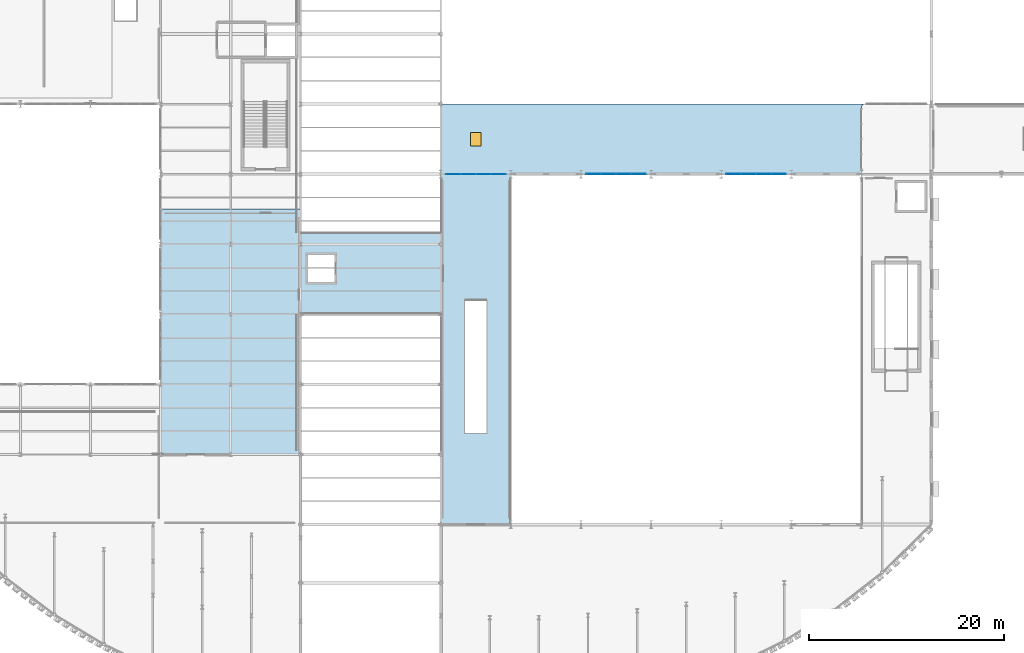
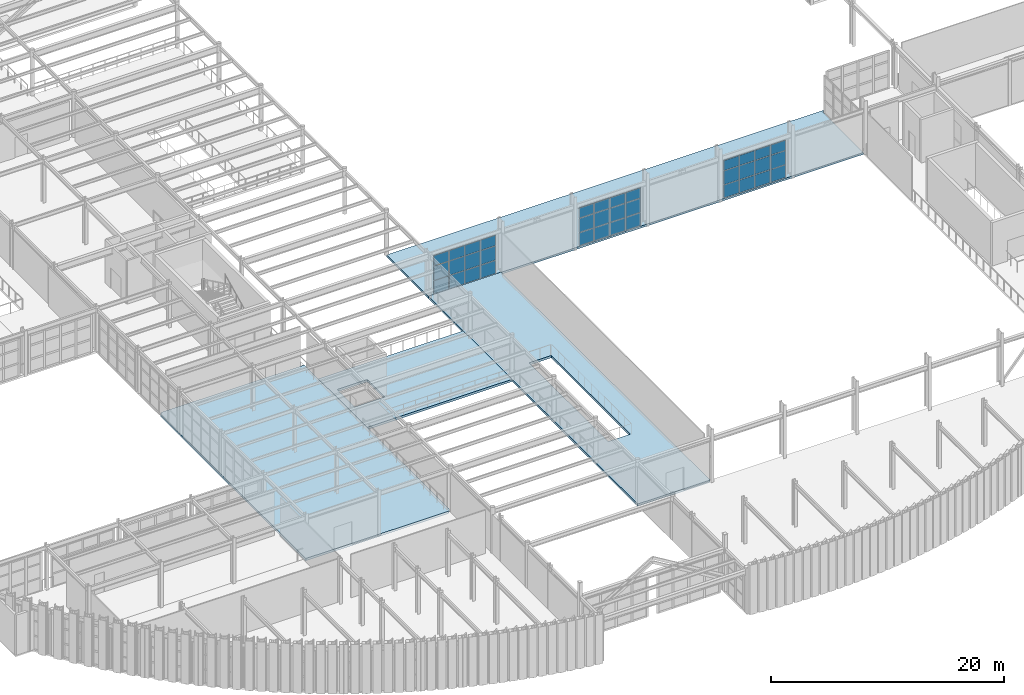
# One storey, part 93 of 126: 36 plates, 4 slabs, 1 door, 1 opening, 3 elements without a shape of their own.
"""IFC4 building model written with IfcOpenShell, lengths in metres."""

from ifc_helpers import new_model, si_unit, direction, frame, origin, origin_2d, place, context, subcontext, project, spatial, polyline, rectangle, outline, extrude, material, layer, layer_set, type_object, element, fill, aggregate, save


model = new_model("IFC4")

# Units and contexts
model_context = context("Model", 3, precision=1e-05, world=origin(), true_north=direction((0.0, 1.0)))
body_context = subcontext(model_context, "Body", "Model", "MODEL_VIEW")
ifc_project = project(units=[si_unit("LENGTHUNIT", "METRE"), si_unit("AREAUNIT", "SQUARE_METRE"), si_unit("VOLUMEUNIT", "CUBIC_METRE"), si_unit("PLANEANGLEUNIT", "RADIAN"), si_unit("MASSUNIT", "GRAM", prefix="KILO")], contexts=[model_context])

# Site, building, storey
site_placement = place(None, origin())
site = spatial("IfcSite", under=ifc_project, at=site_placement, CompositionType="ELEMENT")
building_placement = place(site_placement, origin())
building = spatial("IfcBuilding", under=site, at=building_placement, Name="Solvadek Multi-Sports Hall", CompositionType="ELEMENT")
storey_placement = place(building_placement, frame((0.0, 0.0, 9.60009765625)))
storey = spatial("IfcBuildingStorey", under=building, at=storey_placement, Name="L02", CompositionType="ELEMENT", Elevation=9.60009765625)

# Curtain wall, plates
ifc_material_1 = material(Name="Anodised aluminium", Category="aluminium")
ifc_layer_1 = layer(ifc_material_1, 0.159912109375, Name="Anodised aluminium")
ifc_layer_set_1 = layer_set([ifc_layer_1], Name="Anodised aluminium")
curtain_wall_type_1 = type_object("IfcCurtainWallType", Name="ENV-CW-624X412", PredefinedType="USERDEFINED", material=ifc_layer_set_1)
curtain_wall_1_placement = place(storey_placement, origin())
curtain_wall_1 = element("IfcCurtainWall", 1, at=curtain_wall_1_placement, inside=storey, type_object=curtain_wall_type_1, Name="L02 Perimeter Bay Curtain Wall #124", ObjectType="CURTAIN WALL", PredefinedType="USERDEFINED")
ifc_material_2 = material(Name="Tempered laminated low-E glass", Category="glass")
ifc_layer_2 = layer(ifc_material_2, 0.028076171875, Name="Tempered laminated low-E glass")
ifc_layer_set_2 = layer_set([ifc_layer_2], Name="Tempered laminated low-E glass")
plate_type_1 = type_object("IfcPlateType", Name="ENV-CWP-02", PredefinedType="CURTAIN_PANEL", material=ifc_layer_set_2)
plate_1_placement = place(storey_placement, frame((87.675048828125, 42.0, 0.059814453125), z_axis=(0.0, 0.0, 1.0), x_axis=(1.0, 0.0, 0.0)))
plate_1 = element("IfcPlate", 2, at=plate_1_placement, type_object=plate_type_1, Name="CW-38 panel 1.1", PredefinedType="CURTAIN_PANEL", context=body_context, shape_type="SweptSolid", body=[
    extrude(rectangle(XDim=1.469970703125, YDim=0.028076171875, at=origin_2d()), origin(), (0.0, 0.0, 1.0), 1.35400390625),
])
plate_2_placement = place(storey_placement, frame((87.675048828125, 42.0, 1.4736328125), z_axis=(0.0, 0.0, 1.0), x_axis=(1.0, 0.0, 0.0)))
plate_2 = element("IfcPlate", 3, at=plate_2_placement, type_object=plate_type_1, Name="CW-38 panel 1.2", PredefinedType="CURTAIN_PANEL", context=body_context, shape_type="SweptSolid", body=[
    extrude(rectangle(XDim=1.469970703125, YDim=0.028076171875, at=origin_2d()), origin(), (0.0, 0.0, 1.0), 1.466064453125),
])
plate_3_placement = place(storey_placement, frame((87.675048828125, 42.0, 3.0), z_axis=(0.0, 0.0, 1.0), x_axis=(1.0, 0.0, 0.0)))
plate_3 = element("IfcPlate", 4, at=plate_3_placement, type_object=plate_type_1, Name="CW-38 panel 1.3", PredefinedType="CURTAIN_PANEL", context=body_context, shape_type="SweptSolid", body=[
    extrude(rectangle(XDim=1.469970703125, YDim=0.028076171875, at=origin_2d()), origin(), (0.0, 0.0, 1.0), 1.06494140625),
])
plate_4_placement = place(storey_placement, frame((89.219970703125, 42.0, 0.059814453125), z_axis=(0.0, 0.0, 1.0), x_axis=(1.0, 0.0, 0.0)))
plate_4 = element("IfcPlate", 5, at=plate_4_placement, type_object=plate_type_1, Name="CW-38 panel 2.1", PredefinedType="CURTAIN_PANEL", context=body_context, shape_type="SweptSolid", body=[
    extrude(rectangle(XDim=1.5, YDim=0.028076171875, at=origin_2d()), origin(), (0.0, 0.0, 1.0), 1.35400390625),
])
plate_5_placement = place(storey_placement, frame((89.219970703125, 42.0, 1.4736328125), z_axis=(0.0, 0.0, 1.0), x_axis=(1.0, 0.0, 0.0)))
plate_5 = element("IfcPlate", 6, at=plate_5_placement, type_object=plate_type_1, Name="CW-38 panel 2.2", PredefinedType="CURTAIN_PANEL", context=body_context, shape_type="SweptSolid", body=[
    extrude(rectangle(XDim=1.5, YDim=0.028076171875, at=origin_2d()), origin(), (0.0, 0.0, 1.0), 1.466064453125),
])
plate_6_placement = place(storey_placement, frame((89.219970703125, 42.0, 3.0), z_axis=(0.0, 0.0, 1.0), x_axis=(1.0, 0.0, 0.0)))
plate_6 = element("IfcPlate", 7, at=plate_6_placement, type_object=plate_type_1, Name="CW-38 panel 2.3", PredefinedType="CURTAIN_PANEL", context=body_context, shape_type="SweptSolid", body=[
    extrude(rectangle(XDim=1.5, YDim=0.028076171875, at=origin_2d()), origin(), (0.0, 0.0, 1.0), 1.06494140625),
])
plate_7_placement = place(storey_placement, frame((90.780029296875, 42.0, 0.059814453125), z_axis=(0.0, 0.0, 1.0), x_axis=(1.0, 0.0, 0.0)))
plate_7 = element("IfcPlate", 8, at=plate_7_placement, type_object=plate_type_1, Name="CW-38 panel 3.1", PredefinedType="CURTAIN_PANEL", context=body_context, shape_type="SweptSolid", body=[
    extrude(rectangle(XDim=1.5, YDim=0.028076171875, at=origin_2d()), origin(), (0.0, 0.0, 1.0), 1.35400390625),
])
plate_8_placement = place(storey_placement, frame((90.780029296875, 42.0, 1.4736328125), z_axis=(0.0, 0.0, 1.0), x_axis=(1.0, 0.0, 0.0)))
plate_8 = element("IfcPlate", 9, at=plate_8_placement, type_object=plate_type_1, Name="CW-38 panel 3.2", PredefinedType="CURTAIN_PANEL", context=body_context, shape_type="SweptSolid", body=[
    extrude(rectangle(XDim=1.5, YDim=0.028076171875, at=origin_2d()), origin(), (0.0, 0.0, 1.0), 1.466064453125),
])
plate_9_placement = place(storey_placement, frame((90.780029296875, 42.0, 3.0), z_axis=(0.0, 0.0, 1.0), x_axis=(1.0, 0.0, 0.0)))
plate_9 = element("IfcPlate", 10, at=plate_9_placement, type_object=plate_type_1, Name="CW-38 panel 3.3", PredefinedType="CURTAIN_PANEL", context=body_context, shape_type="SweptSolid", body=[
    extrude(rectangle(XDim=1.5, YDim=0.028076171875, at=origin_2d()), origin(), (0.0, 0.0, 1.0), 1.06494140625),
])
plate_10_placement = place(storey_placement, frame((92.324951171875, 42.0, 0.059814453125), z_axis=(0.0, 0.0, 1.0), x_axis=(1.0, 0.0, 0.0)))
plate_10 = element("IfcPlate", 11, at=plate_10_placement, type_object=plate_type_1, Name="CW-38 panel 4.1", PredefinedType="CURTAIN_PANEL", context=body_context, shape_type="SweptSolid", body=[
    extrude(rectangle(XDim=1.469970703125, YDim=0.028076171875, at=origin_2d()), origin(), (0.0, 0.0, 1.0), 1.35400390625),
])
plate_11_placement = place(storey_placement, frame((92.324951171875, 42.0, 1.4736328125), z_axis=(0.0, 0.0, 1.0), x_axis=(1.0, 0.0, 0.0)))
plate_11 = element("IfcPlate", 12, at=plate_11_placement, type_object=plate_type_1, Name="CW-38 panel 4.2", PredefinedType="CURTAIN_PANEL", context=body_context, shape_type="SweptSolid", body=[
    extrude(rectangle(XDim=1.469970703125, YDim=0.028076171875, at=origin_2d()), origin(), (0.0, 0.0, 1.0), 1.466064453125),
])
plate_12_placement = place(storey_placement, frame((92.324951171875, 42.0, 3.0), z_axis=(0.0, 0.0, 1.0), x_axis=(1.0, 0.0, 0.0)))
plate_12 = element("IfcPlate", 13, at=plate_12_placement, type_object=plate_type_1, Name="CW-38 panel 4.3", PredefinedType="CURTAIN_PANEL", context=body_context, shape_type="SweptSolid", body=[
    extrude(rectangle(XDim=1.469970703125, YDim=0.028076171875, at=origin_2d()), origin(), (0.0, 0.0, 1.0), 1.06494140625),
])
aggregate(curtain_wall_1, [plate_1, plate_2, plate_3, plate_4, plate_5, plate_6, plate_7, plate_8, plate_9, plate_10, plate_11, plate_12])

ifc_layer_3 = layer(ifc_material_1, 0.159912109375, Name="Anodised aluminium")
ifc_layer_set_3 = layer_set([ifc_layer_3], Name="Anodised aluminium")
curtain_wall_type_2 = type_object("IfcCurtainWallType", Name="ENV-CW-624X408", PredefinedType="USERDEFINED", material=ifc_layer_set_3)
curtain_wall_2_placement = place(storey_placement, origin())
curtain_wall_2 = element("IfcCurtainWall", 14, at=curtain_wall_2_placement, inside=storey, type_object=curtain_wall_type_2, Name="L02 Perimeter Bay Curtain Wall #125", ObjectType="CURTAIN WALL", PredefinedType="USERDEFINED")
ifc_layer_4 = layer(ifc_material_2, 0.035888671875, Name="Tempered laminated low-E glass")
ifc_layer_set_4 = layer_set([ifc_layer_4], Name="Tempered laminated low-E glass")
plate_type_2 = type_object("IfcPlateType", Name="ENV-CWP-04", PredefinedType="CURTAIN_PANEL", material=ifc_layer_set_4)
plate_13_placement = place(storey_placement, frame((102.076171875, 42.0, 0.06494140625), z_axis=(0.0, 0.0, 1.0), x_axis=(1.0, 0.0, 0.0)))
plate_13 = element("IfcPlate", 15, at=plate_13_placement, type_object=plate_type_2, Name="CW-40 panel 1.1", PredefinedType="CURTAIN_PANEL", context=body_context, shape_type="SweptSolid", body=[
    extrude(rectangle(XDim=1.46240234375, YDim=0.035888671875, at=origin_2d()), origin(), (0.0, 0.0, 1.0), 1.32861328125),
])
plate_14_placement = place(storey_placement, frame((102.076171875, 42.0, 1.45849609375), z_axis=(0.0, 0.0, 1.0), x_axis=(1.0, 0.0, 0.0)))
plate_14 = element("IfcPlate", 16, at=plate_14_placement, type_object=plate_type_2, Name="CW-40 panel 1.2", PredefinedType="CURTAIN_PANEL", context=body_context, shape_type="SweptSolid", body=[
    extrude(rectangle(XDim=1.46240234375, YDim=0.035888671875, at=origin_2d()), origin(), (0.0, 0.0, 1.0), 1.443115234375),
])
plate_15_placement = place(storey_placement, frame((102.076171875, 42.0, 2.96630859375), z_axis=(0.0, 0.0, 1.0), x_axis=(1.0, 0.0, 0.0)))
plate_15 = element("IfcPlate", 17, at=plate_15_placement, type_object=plate_type_2, Name="CW-40 panel 1.3", PredefinedType="CURTAIN_PANEL", context=body_context, shape_type="SweptSolid", body=[
    extrude(rectangle(XDim=1.46240234375, YDim=0.035888671875, at=origin_2d()), origin(), (0.0, 0.0, 1.0), 1.04345703125),
])
plate_16_placement = place(storey_placement, frame((103.6201171875, 42.0, 0.06494140625), z_axis=(0.0, 0.0, 1.0), x_axis=(1.0, 0.0, 0.0)))
plate_16 = element("IfcPlate", 18, at=plate_16_placement, type_object=plate_type_2, Name="CW-40 panel 2.1", PredefinedType="CURTAIN_PANEL", context=body_context, shape_type="SweptSolid", body=[
    extrude(rectangle(XDim=1.4951171875, YDim=0.035888671875, at=origin_2d()), origin(), (0.0, 0.0, 1.0), 1.32861328125),
])
plate_17_placement = place(storey_placement, frame((103.6201171875, 42.0, 1.45849609375), z_axis=(0.0, 0.0, 1.0), x_axis=(1.0, 0.0, 0.0)))
plate_17 = element("IfcPlate", 19, at=plate_17_placement, type_object=plate_type_2, Name="CW-40 panel 2.2", PredefinedType="CURTAIN_PANEL", context=body_context, shape_type="SweptSolid", body=[
    extrude(rectangle(XDim=1.4951171875, YDim=0.035888671875, at=origin_2d()), origin(), (0.0, 0.0, 1.0), 1.443115234375),
])
plate_18_placement = place(storey_placement, frame((103.6201171875, 42.0, 2.96630859375), z_axis=(0.0, 0.0, 1.0), x_axis=(1.0, 0.0, 0.0)))
plate_18 = element("IfcPlate", 20, at=plate_18_placement, type_object=plate_type_2, Name="CW-40 panel 2.3", PredefinedType="CURTAIN_PANEL", context=body_context, shape_type="SweptSolid", body=[
    extrude(rectangle(XDim=1.4951171875, YDim=0.035888671875, at=origin_2d()), origin(), (0.0, 0.0, 1.0), 1.04345703125),
])
plate_19_placement = place(storey_placement, frame((105.179931640625, 42.0, 0.06494140625), z_axis=(0.0, 0.0, 1.0), x_axis=(1.0, 0.0, 0.0)))
plate_19 = element("IfcPlate", 21, at=plate_19_placement, type_object=plate_type_2, Name="CW-40 panel 3.1", PredefinedType="CURTAIN_PANEL", context=body_context, shape_type="SweptSolid", body=[
    extrude(rectangle(XDim=1.4951171875, YDim=0.035888671875, at=origin_2d()), origin(), (0.0, 0.0, 1.0), 1.32861328125),
])
plate_20_placement = place(storey_placement, frame((105.179931640625, 42.0, 1.45849609375), z_axis=(0.0, 0.0, 1.0), x_axis=(1.0, 0.0, 0.0)))
plate_20 = element("IfcPlate", 22, at=plate_20_placement, type_object=plate_type_2, Name="CW-40 panel 3.2", PredefinedType="CURTAIN_PANEL", context=body_context, shape_type="SweptSolid", body=[
    extrude(rectangle(XDim=1.4951171875, YDim=0.035888671875, at=origin_2d()), origin(), (0.0, 0.0, 1.0), 1.443115234375),
])
plate_21_placement = place(storey_placement, frame((105.179931640625, 42.0, 2.96630859375), z_axis=(0.0, 0.0, 1.0), x_axis=(1.0, 0.0, 0.0)))
plate_21 = element("IfcPlate", 23, at=plate_21_placement, type_object=plate_type_2, Name="CW-40 panel 3.3", PredefinedType="CURTAIN_PANEL", context=body_context, shape_type="SweptSolid", body=[
    extrude(rectangle(XDim=1.4951171875, YDim=0.035888671875, at=origin_2d()), origin(), (0.0, 0.0, 1.0), 1.04345703125),
])
plate_22_placement = place(storey_placement, frame((106.7236328125, 42.0, 0.06494140625), z_axis=(0.0, 0.0, 1.0), x_axis=(1.0, 0.0, 0.0)))
plate_22 = element("IfcPlate", 24, at=plate_22_placement, type_object=plate_type_2, Name="CW-40 panel 4.1", PredefinedType="CURTAIN_PANEL", context=body_context, shape_type="SweptSolid", body=[
    extrude(rectangle(XDim=1.46240234375, YDim=0.035888671875, at=origin_2d()), origin(), (0.0, 0.0, 1.0), 1.32861328125),
])
plate_23_placement = place(storey_placement, frame((106.7236328125, 42.0, 1.45849609375), z_axis=(0.0, 0.0, 1.0), x_axis=(1.0, 0.0, 0.0)))
plate_23 = element("IfcPlate", 25, at=plate_23_placement, type_object=plate_type_2, Name="CW-40 panel 4.2", PredefinedType="CURTAIN_PANEL", context=body_context, shape_type="SweptSolid", body=[
    extrude(rectangle(XDim=1.46240234375, YDim=0.035888671875, at=origin_2d()), origin(), (0.0, 0.0, 1.0), 1.443115234375),
])
plate_24_placement = place(storey_placement, frame((106.7236328125, 42.0, 2.96630859375), z_axis=(0.0, 0.0, 1.0), x_axis=(1.0, 0.0, 0.0)))
plate_24 = element("IfcPlate", 26, at=plate_24_placement, type_object=plate_type_2, Name="CW-40 panel 4.3", PredefinedType="CURTAIN_PANEL", context=body_context, shape_type="SweptSolid", body=[
    extrude(rectangle(XDim=1.46240234375, YDim=0.035888671875, at=origin_2d()), origin(), (0.0, 0.0, 1.0), 1.04345703125),
])
aggregate(curtain_wall_2, [plate_13, plate_14, plate_15, plate_16, plate_17, plate_18, plate_19, plate_20, plate_21, plate_22, plate_23, plate_24])

ifc_layer_5 = layer(ifc_material_1, 0.159912109375, Name="Anodised aluminium")
ifc_layer_set_5 = layer_set([ifc_layer_5], Name="Anodised aluminium")
curtain_wall_type_3 = type_object("IfcCurtainWallType", Name="ENV-CW-624X403", PredefinedType="USERDEFINED", material=ifc_layer_set_5)
curtain_wall_3_placement = place(storey_placement, origin())
curtain_wall_3 = element("IfcCurtainWall", 27, at=curtain_wall_3_placement, inside=storey, type_object=curtain_wall_type_3, Name="L02 Perimeter Bay Curtain Wall #127", ObjectType="CURTAIN WALL", PredefinedType="USERDEFINED")
ifc_layer_6 = layer(ifc_material_2, 0.048095703125, Name="Tempered laminated low-E glass")
ifc_layer_set_6 = layer_set([ifc_layer_6], Name="Tempered laminated low-E glass")
plate_type_3 = type_object("IfcPlateType", Name="ENV-CWP-06", PredefinedType="CURTAIN_PANEL", material=ifc_layer_set_6)
plate_25_placement = place(storey_placement, frame((116.47509765625, 42.0, 0.06005859375), z_axis=(0.0, 0.0, 1.0), x_axis=(1.0, 0.0, 0.0)))
plate_25 = element("IfcPlate", 28, at=plate_25_placement, type_object=plate_type_3, Name="CW-43 panel 1.1", PredefinedType="CURTAIN_PANEL", context=body_context, shape_type="SweptSolid", body=[
    extrude(rectangle(XDim=1.469970703125, YDim=0.048095703125, at=origin_2d()), origin(), (0.0, 0.0, 1.0), 1.319091796875),
])
plate_26_placement = place(storey_placement, frame((116.47509765625, 42.0, 1.43896484375), z_axis=(0.0, 0.0, 1.0), x_axis=(1.0, 0.0, 0.0)))
plate_26 = element("IfcPlate", 29, at=plate_26_placement, type_object=plate_type_3, Name="CW-43 panel 1.2", PredefinedType="CURTAIN_PANEL", context=body_context, shape_type="SweptSolid", body=[
    extrude(rectangle(XDim=1.469970703125, YDim=0.048095703125, at=origin_2d()), origin(), (0.0, 0.0, 1.0), 1.428955078125),
])
plate_27_placement = place(storey_placement, frame((116.47509765625, 42.0, 2.927734375), z_axis=(0.0, 0.0, 1.0), x_axis=(1.0, 0.0, 0.0)))
plate_27 = element("IfcPlate", 30, at=plate_27_placement, type_object=plate_type_3, Name="CW-43 panel 1.3", PredefinedType="CURTAIN_PANEL", context=body_context, shape_type="SweptSolid", body=[
    extrude(rectangle(XDim=1.469970703125, YDim=0.048095703125, at=origin_2d()), origin(), (0.0, 0.0, 1.0), 1.037109375),
])
plate_28_placement = place(storey_placement, frame((118.02001953125, 42.0, 0.06005859375), z_axis=(0.0, 0.0, 1.0), x_axis=(1.0, 0.0, 0.0)))
plate_28 = element("IfcPlate", 31, at=plate_28_placement, type_object=plate_type_3, Name="CW-43 panel 2.1", PredefinedType="CURTAIN_PANEL", context=body_context, shape_type="SweptSolid", body=[
    extrude(rectangle(XDim=1.5, YDim=0.048095703125, at=origin_2d()), origin(), (0.0, 0.0, 1.0), 1.319091796875),
])
plate_29_placement = place(storey_placement, frame((118.02001953125, 42.0, 1.43896484375), z_axis=(0.0, 0.0, 1.0), x_axis=(1.0, 0.0, 0.0)))
plate_29 = element("IfcPlate", 32, at=plate_29_placement, type_object=plate_type_3, Name="CW-43 panel 2.2", PredefinedType="CURTAIN_PANEL", context=body_context, shape_type="SweptSolid", body=[
    extrude(rectangle(XDim=1.5, YDim=0.048095703125, at=origin_2d()), origin(), (0.0, 0.0, 1.0), 1.428955078125),
])
plate_30_placement = place(storey_placement, frame((118.02001953125, 42.0, 2.927734375), z_axis=(0.0, 0.0, 1.0), x_axis=(1.0, 0.0, 0.0)))
plate_30 = element("IfcPlate", 33, at=plate_30_placement, type_object=plate_type_3, Name="CW-43 panel 2.3", PredefinedType="CURTAIN_PANEL", context=body_context, shape_type="SweptSolid", body=[
    extrude(rectangle(XDim=1.5, YDim=0.048095703125, at=origin_2d()), origin(), (0.0, 0.0, 1.0), 1.037109375),
])
plate_31_placement = place(storey_placement, frame((119.580078125, 42.0, 0.06005859375), z_axis=(0.0, 0.0, 1.0), x_axis=(1.0, 0.0, 0.0)))
plate_31 = element("IfcPlate", 34, at=plate_31_placement, type_object=plate_type_3, Name="CW-43 panel 3.1", PredefinedType="CURTAIN_PANEL", context=body_context, shape_type="SweptSolid", body=[
    extrude(rectangle(XDim=1.5, YDim=0.048095703125, at=origin_2d()), origin(), (0.0, 0.0, 1.0), 1.319091796875),
])
plate_32_placement = place(storey_placement, frame((119.580078125, 42.0, 1.43896484375), z_axis=(0.0, 0.0, 1.0), x_axis=(1.0, 0.0, 0.0)))
plate_32 = element("IfcPlate", 35, at=plate_32_placement, type_object=plate_type_3, Name="CW-43 panel 3.2", PredefinedType="CURTAIN_PANEL", context=body_context, shape_type="SweptSolid", body=[
    extrude(rectangle(XDim=1.5, YDim=0.048095703125, at=origin_2d()), origin(), (0.0, 0.0, 1.0), 1.428955078125),
])
plate_33_placement = place(storey_placement, frame((119.580078125, 42.0, 2.927734375), z_axis=(0.0, 0.0, 1.0), x_axis=(1.0, 0.0, 0.0)))
plate_33 = element("IfcPlate", 36, at=plate_33_placement, type_object=plate_type_3, Name="CW-43 panel 3.3", PredefinedType="CURTAIN_PANEL", context=body_context, shape_type="SweptSolid", body=[
    extrude(rectangle(XDim=1.5, YDim=0.048095703125, at=origin_2d()), origin(), (0.0, 0.0, 1.0), 1.037109375),
])
plate_34_placement = place(storey_placement, frame((121.125, 42.0, 0.06005859375), z_axis=(0.0, 0.0, 1.0), x_axis=(1.0, 0.0, 0.0)))
plate_34 = element("IfcPlate", 37, at=plate_34_placement, type_object=plate_type_3, Name="CW-43 panel 4.1", PredefinedType="CURTAIN_PANEL", context=body_context, shape_type="SweptSolid", body=[
    extrude(rectangle(XDim=1.469970703125, YDim=0.048095703125, at=origin_2d()), origin(), (0.0, 0.0, 1.0), 1.319091796875),
])
plate_35_placement = place(storey_placement, frame((121.125, 42.0, 1.43896484375), z_axis=(0.0, 0.0, 1.0), x_axis=(1.0, 0.0, 0.0)))
plate_35 = element("IfcPlate", 38, at=plate_35_placement, type_object=plate_type_3, Name="CW-43 panel 4.2", PredefinedType="CURTAIN_PANEL", context=body_context, shape_type="SweptSolid", body=[
    extrude(rectangle(XDim=1.469970703125, YDim=0.048095703125, at=origin_2d()), origin(), (0.0, 0.0, 1.0), 1.428955078125),
])
plate_36_placement = place(storey_placement, frame((121.125, 42.0, 2.927734375), z_axis=(0.0, 0.0, 1.0), x_axis=(1.0, 0.0, 0.0)))
plate_36 = element("IfcPlate", 39, at=plate_36_placement, type_object=plate_type_3, Name="CW-43 panel 4.3", PredefinedType="CURTAIN_PANEL", context=body_context, shape_type="SweptSolid", body=[
    extrude(rectangle(XDim=1.469970703125, YDim=0.048095703125, at=origin_2d()), origin(), (0.0, 0.0, 1.0), 1.037109375),
])
aggregate(curtain_wall_3, [plate_25, plate_26, plate_27, plate_28, plate_29, plate_30, plate_31, plate_32, plate_33, plate_34, plate_35, plate_36])

# Slabs
ifc_material_3 = material(Name="Concrete M35", Category="concrete")
ifc_layer_7 = layer(ifc_material_3, 0.199951171875, Name="Concrete M35")
ifc_layer_set_7 = layer_set([ifc_layer_7], Name="Concrete M35")
slab_type_1 = type_object("IfcSlabType", Name="STR-SLB-FLR200", PredefinedType="FLOOR", material=ifc_layer_set_7)
slab_1_placement = place(storey_placement, frame((0.0, 0.0, -0.239990234375)))
element("IfcSlab", 40, at=slab_1_placement, inside=storey, type_object=slab_type_1, Name="L02 Second Floor Slab #82", PredefinedType="FLOOR", context=body_context, shape_type="SweptSolid", body=[
    extrude(outline(polyline([(72.0, 36.0), (86.39990234375, 36.0), (86.39990234375, 27.60009765625), (72.0, 27.60009765625), (72.0, 36.0)]), holes=[polyline([(75.60009765625, 30.800048828125), (75.60009765625, 33.800048828125), (72.60009765625, 33.800048828125), (72.60009765625, 30.800048828125), (75.60009765625, 30.800048828125)])]), origin(), (0.0, 0.0, 1.0), 0.239990234375),
])
ifc_layer_8 = layer(ifc_material_3, 0.219970703125, Name="Concrete M35")
ifc_layer_set_8 = layer_set([ifc_layer_8], Name="Concrete M35")
slab_type_2 = type_object("IfcSlabType", Name="STR-SLB-FLR220", PredefinedType="FLOOR", material=ifc_layer_set_8)
slab_2_placement = place(storey_placement, frame((0.0, 0.0, -0.239990234375)))
element("IfcSlab", 41, at=slab_2_placement, inside=storey, type_object=slab_type_2, Name="L02 Second Floor Slab #84", PredefinedType="FLOOR", context=body_context, shape_type="SweptSolid", body=[
    extrude(outline(polyline([(86.39990234375, 27.60009765625), (86.39990234375, 36.0), (86.39990234375, 42.0), (93.60009765625, 42.0), (93.60009765625, 6.0), (86.39990234375, 6.0), (86.39990234375, 27.60009765625)]), holes=[polyline([(91.10009765625, 15.39990234375), (91.10009765625, 29.0), (88.89990234375, 29.0), (88.89990234375, 15.39990234375), (91.10009765625, 15.39990234375)])]), origin(), (0.0, 0.0, 1.0), 0.239990234375),
])
ifc_layer_9 = layer(ifc_material_3, 0.239990234375, Name="Concrete M35")
ifc_layer_set_9 = layer_set([ifc_layer_9], Name="Concrete M35")
slab_type_3 = type_object("IfcSlabType", Name="STR-SLB-FLR240", PredefinedType="FLOOR", material=ifc_layer_set_9)
slab_3_placement = place(storey_placement, frame((0.0, 0.0, -0.239990234375)))
element("IfcSlab", 42, at=slab_3_placement, inside=storey, type_object=slab_type_3, Name="L02 Second Floor Slab #78", PredefinedType="FLOOR", context=body_context, shape_type="SweptSolid", body=[
    extrude(outline(polyline([(57.60009765625, 13.419921875), (57.60009765625, 20.39990234375), (57.60009765625, 38.179931640625), (57.820068359375, 38.39990234375), (72.0, 38.39990234375), (72.0, 13.419921875), (71.780029296875, 13.199951171875), (57.60009765625, 13.199951171875), (57.60009765625, 13.419921875)])), origin(), (0.0, 0.0, 1.0), 0.239990234375),
])

# Slab, opening, door
ifc_layer_10 = layer(ifc_material_3, 0.199951171875, Name="Concrete M35")
ifc_layer_set_10 = layer_set([ifc_layer_10], Name="Concrete M35")
slab_type_4 = type_object("IfcSlabType", Name="STR-SLB-ROOF200", PredefinedType="ROOF", material=ifc_layer_set_10)
slab_4_placement = place(storey_placement, frame((0.0, 0.0, -0.239990234375)))
slab_4 = element("IfcSlab", 43, at=slab_4_placement, inside=storey, type_object=slab_type_4, Name="L02 Low Wing Flat Roof #92", PredefinedType="ROOF", context=body_context, shape_type="SweptSolid", body=[
    extrude(outline(polyline([(86.39990234375, 49.199951171875), (129.820068359375, 49.199951171875), (129.60009765625, 48.97998046875), (129.60009765625, 42.0), (93.60009765625, 42.0), (86.39990234375, 42.0), (86.39990234375, 49.199951171875)])), origin(), (0.0, 0.0, 1.0), 0.199951171875),
])
opening_placement = place(slab_4_placement, frame((90.0, 45.60009765625, 0.0)))
opening = element("IfcOpeningElement", 44, at=opening_placement, cuts=slab_4, Name="Opening RH-01", PredefinedType="OPENING", context=body_context, shape_type="SweptSolid", body=[
    extrude(rectangle(XDim=1.10009765625, YDim=1.39990234375, at=origin_2d()), frame((0.0, 0.0, -0.02001953125)), (0.0, 0.0, 1.0), 0.239990234375),
])
door_type = type_object("IfcDoorType", Name="ENV-DOR-HT110X140", OperationType="SINGLE_SWING_LEFT", PredefinedType="TRAPDOOR", material=ifc_material_1)
door_placement = place(opening_placement, frame((0.0, 0.0, 0.14990234375)))
door = element("IfcDoor", 45, at=door_placement, inside=storey, type_object=door_type, Name="Roof Maintenance Access Hatch #3", OperationType="SINGLE_SWING_LEFT", OverallHeight=1.39990234375, OverallWidth=1.10009765625, PredefinedType="TRAPDOOR", context=body_context, shape_type="SweptSolid", body=[
    extrude(rectangle(XDim=1.10009765625, YDim=1.39990234375, at=origin_2d()), origin(), (0.0, 0.0, 1.0), 0.050048828125),
])
fill(opening, door)

save(model, "model.ifc")
